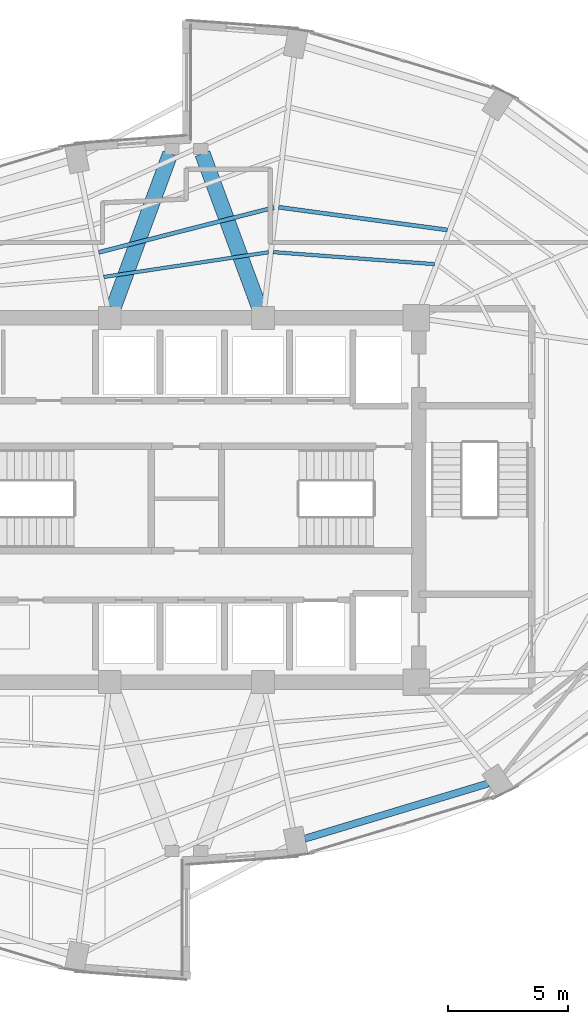
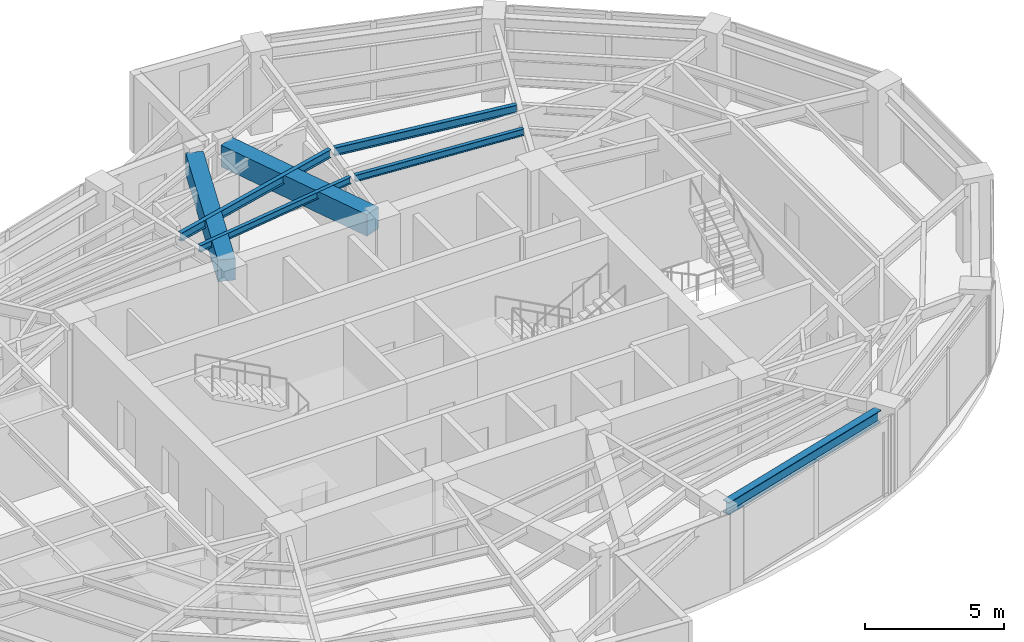
# One storey, part 8 of 20: 7 beams.
"""IFC4 building model written with IfcOpenShell, lengths in metres."""

from ifc_helpers import new_model, si_unit, direction, frame, origin, origin_2d, place, context, subcontext, project, spatial, rectangle, i_section, extrude, material, material_profile, profile_set, type_object, element, save


model = new_model("IFC4")

# Units and contexts
model_context = context("Model", 3, precision=1e-05, world=origin(), true_north=direction((0.0, 1.0)))
body_context = subcontext(model_context, "Body", "Model", "MODEL_VIEW")
ifc_project = project(units=[si_unit("LENGTHUNIT", "METRE"), si_unit("AREAUNIT", "SQUARE_METRE"), si_unit("VOLUMEUNIT", "CUBIC_METRE"), si_unit("PLANEANGLEUNIT", "RADIAN"), si_unit("MASSUNIT", "GRAM", prefix="KILO")], contexts=[model_context])

# Site, building, storey
site_placement = place(None, origin())
site = spatial("IfcSite", under=ifc_project, at=site_placement, CompositionType="ELEMENT")
building_placement = place(site_placement, origin())
building = spatial("IfcBuilding", under=site, at=building_placement, Name="Lazwardi Medical Tower", CompositionType="ELEMENT")
storey_placement = place(building_placement, frame((0.0, 0.0, 174.76806640625)))
storey = spatial("IfcBuildingStorey", under=building, at=storey_placement, Name="L45", CompositionType="ELEMENT", Elevation=174.76806640625)

# Beams
ifc_material_1 = material(Name="Concrete C60/75", Category="concrete")
ifc_material_profile_1 = material_profile(ifc_material_1, rectangle(XDim=0.64990234375, YDim=0.949951171875, at=origin_2d()), Name="RC 650x950")
ifc_profile_set_1 = profile_set([ifc_material_profile_1], Name="Concrete C60/75")
beam_type_1 = type_object("IfcBeamType", Name="BM-CB-RC2", PredefinedType="LINTEL", material=ifc_profile_set_1)
for number, where, z_axis, x_axis, name in (
    (1, (32.959228515625, 36.031494140625, 2.952880859375), (0.34601281054, 0.938229787921, 0.0), (-0.938229787921, 0.34601281054, 0.0), "Core coupling lintel CB-02 PL1 L45"),
    (2, (39.040771484375, 36.031494140625, 2.952880859375), (-0.34601281054, 0.938229787921, 0.0), (-0.938229787921, -0.34601281054, 0.0), "Core coupling lintel CB-02 PL2 L45"),
):
    element("IfcBeam", number, at=place(storey_placement, frame(where, z_axis=z_axis, x_axis=x_axis)), inside=storey, type_object=beam_type_1, Name=name, PredefinedType="LINTEL", context=body_context, shape_type="SweptSolid", body=[
        extrude(rectangle(XDim=0.64990234375, YDim=0.949951171875, at=origin_2d()), origin(), (0.0, 0.0, 1.0), 6.84423828125),
    ])
ifc_material_2 = material(Name="Steel S355", Category="steel")
ifc_material_profile_2 = material_profile(ifc_material_2, i_section(OverallWidth=0.300048828125, OverallDepth=0.550048828125, WebThickness=0.014892578125, FlangeThickness=0.029052734375, at=origin_2d()), Name="HEB 550")
ifc_profile_set_2 = profile_set([ifc_material_profile_2], Name="Steel S355")
beam_type_2 = type_object("IfcBeamType", Name="BM-RB-Z3", PredefinedType="BEAM", material=ifc_profile_set_2)
beam_1_placement = place(storey_placement, frame((40.943115234375, 13.866455078125, 3.15283203125), z_axis=(0.957616873483, 0.288045002771, 0.0), x_axis=(-0.288045002771, 0.957616873483, 0.0)))
element("IfcBeam", 3, at=beam_1_placement, inside=storey, type_object=beam_type_2, Name="Ring beam RB-04 B01 L45", PredefinedType="BEAM", context=body_context, shape_type="SweptSolid", body=[
    extrude(i_section(OverallWidth=0.300048828125, OverallDepth=0.550048828125, WebThickness=0.014892578125, FlangeThickness=0.029052734375, at=origin_2d()), origin(), (0.0, 0.0, 1.0), 7.99951171875),
])
ifc_material_profile_3 = material_profile(ifc_material_2, i_section(OverallWidth=0.169921875, OverallDepth=0.360107421875, WebThickness=0.008056640625, FlangeThickness=0.0126953125, at=origin_2d()), Name="IPE 360")
ifc_profile_set_3 = profile_set([ifc_material_profile_3], Name="Steel S355")
beam_type_3 = type_object("IfcBeamType", Name="BM-SJ-02", PredefinedType="JOIST", material=ifc_profile_set_3)
beam_2_placement = place(storey_placement, frame((46.889892578125, 39.269775390625, 3.248046875), z_axis=(-0.991056291961, 0.133444468468, 0.0), x_axis=(-0.133444468468, -0.991056291961, 0.0)))
element("IfcBeam", 4, at=beam_2_placement, inside=storey, type_object=beam_type_3, Name="Secondary joist SJ-02 R3 B07 L45", PredefinedType="JOIST", context=body_context, shape_type="SweptSolid", body=[
    extrude(i_section(OverallWidth=0.169921875, OverallDepth=0.360107421875, WebThickness=0.008056640625, FlangeThickness=0.0126953125, at=origin_2d()), origin(), (0.0, 0.0, 1.0), 7.10400390625),
])
beam_3_placement = place(storey_placement, frame((39.6533203125, 40.206298828125, 3.248046875), z_axis=(-0.96877632572, -0.247936344097, 0.0), x_axis=(0.247936344097, -0.96877632572, 0.0)))
element("IfcBeam", 5, at=beam_3_placement, inside=storey, type_object=beam_type_3, Name="Secondary joist SJ-02 R3 B08 L45", PredefinedType="JOIST", context=body_context, shape_type="SweptSolid", body=[
    extrude(i_section(OverallWidth=0.169921875, OverallDepth=0.360107421875, WebThickness=0.008056640625, FlangeThickness=0.0126953125, at=origin_2d()), origin(), (0.0, 0.0, 1.0), 7.546630859375),
])
ifc_material_profile_4 = material_profile(ifc_material_2, i_section(OverallWidth=0.14990234375, OverallDepth=0.300048828125, WebThickness=0.007080078125, FlangeThickness=0.0107421875, at=origin_2d()), Name="IPE 300")
ifc_profile_set_4 = profile_set([ifc_material_profile_4], Name="Steel S355")
beam_type_4 = type_object("IfcBeamType", Name="BM-SJ-03", PredefinedType="JOIST", material=ifc_profile_set_4)
beam_4_placement = place(storey_placement, frame((46.349609375, 37.843505859375, 3.27783203125), z_axis=(-0.99722699261, 0.074419924822, 0.0), x_axis=(-0.074419924822, -0.99722699261, 0.0)))
element("IfcBeam", 6, at=beam_4_placement, inside=storey, type_object=beam_type_4, Name="Secondary joist SJ-03 R4 B07 L45", PredefinedType="JOIST", context=body_context, shape_type="SweptSolid", body=[
    extrude(i_section(OverallWidth=0.14990234375, OverallDepth=0.300048828125, WebThickness=0.007080078125, FlangeThickness=0.0107421875, at=origin_2d()), origin(), (0.0, 0.0, 1.0), 6.74169921875),
])
beam_5_placement = place(storey_placement, frame((39.42822265625, 38.337890625, 3.27783203125), z_axis=(-0.98897469849, -0.148084589835, 0.0), x_axis=(0.148084589835, -0.98897469849, 0.0)))
element("IfcBeam", 7, at=beam_5_placement, inside=storey, type_object=beam_type_4, Name="Secondary joist SJ-03 R4 B08 L45", PredefinedType="JOIST", context=body_context, shape_type="SweptSolid", body=[
    extrude(i_section(OverallWidth=0.14990234375, OverallDepth=0.300048828125, WebThickness=0.007080078125, FlangeThickness=0.0107421875, at=origin_2d()), origin(), (0.0, 0.0, 1.0), 6.952392578125),
])

save(model, "model.ifc")
